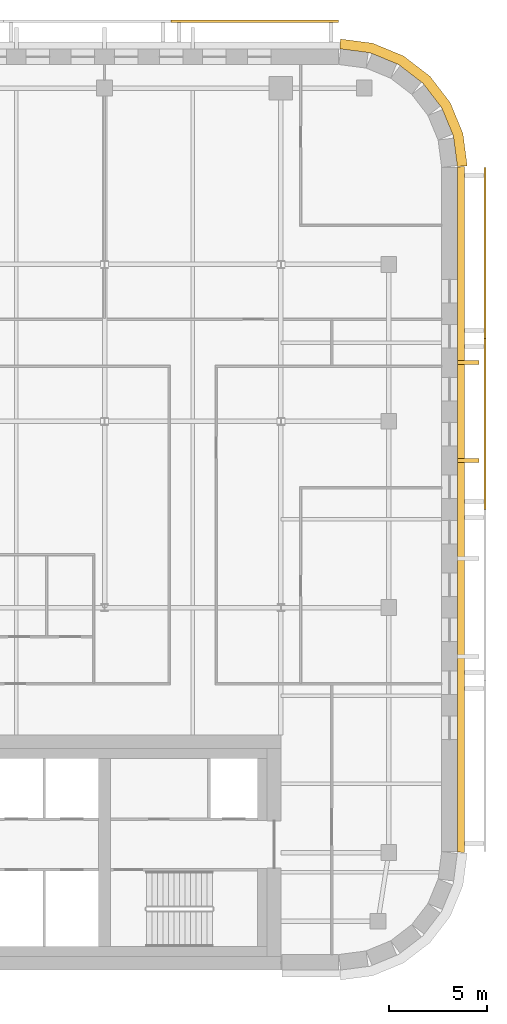
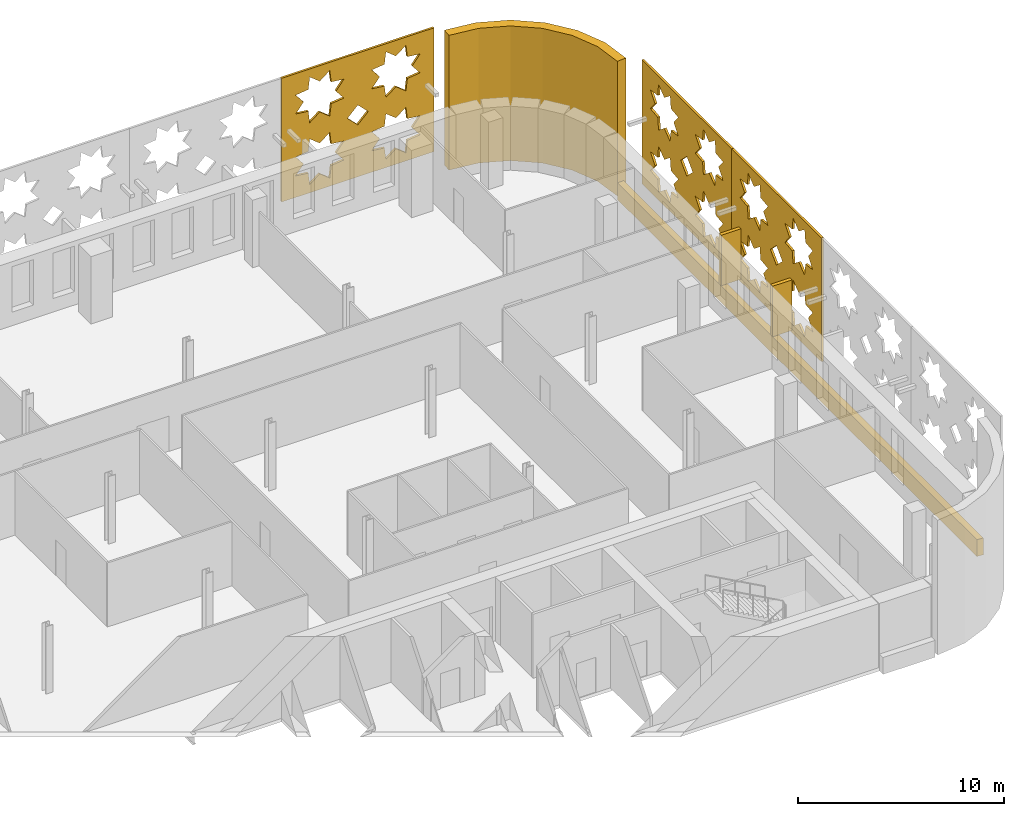
# One storey, part 17 of 17: 7 coverings.
"""IFC4 building model written with IfcOpenShell, lengths in metres."""

from ifc_helpers import new_model, si_unit, direction, frame, origin, place, context, subcontext, project, spatial, polyline, outline, extrude, material, layer, layer_set, type_object, element, save


model = new_model("IFC4")

# Units and contexts
model_context = context("Model", 3, precision=1e-05, world=origin(), true_north=direction((0.0, 1.0)))
body_context = subcontext(model_context, "Body", "Model", "MODEL_VIEW")
ifc_project = project(units=[si_unit("LENGTHUNIT", "METRE"), si_unit("AREAUNIT", "SQUARE_METRE"), si_unit("VOLUMEUNIT", "CUBIC_METRE"), si_unit("PLANEANGLEUNIT", "RADIAN"), si_unit("MASSUNIT", "GRAM", prefix="KILO")], contexts=[model_context])

# Site, building, storey
site_placement = place(None, origin())
site = spatial("IfcSite", under=ifc_project, at=site_placement, CompositionType="ELEMENT")
building_placement = place(site_placement, origin())
building = spatial("IfcBuilding", under=site, at=building_placement, Name="Zellij Exchange Tower", CompositionType="ELEMENT")
storey_placement = place(building_placement, frame((0.0, 0.0, 256.5)))
storey = spatial("IfcBuildingStorey", under=building, at=storey_placement, Name="L60", CompositionType="ELEMENT", Elevation=256.5)

# Coverings
ifc_material_1 = material(Name="Limestone cladding", Category="masonry")
ifc_layer_1 = layer(ifc_material_1, 0.35009765625)
ifc_layer_set_1 = layer_set([ifc_layer_1], Name="Limestone cladding")
covering_type_1 = type_object("IfcCoveringType", Name="ENV-CV10 Stone spandrel band 350", PredefinedType="CLADDING", material=ifc_layer_set_1)
covering_1_placement = place(storey_placement, frame((0.0, 0.0, -0.199951171875)))
element("IfcCovering", 1, at=covering_1_placement, inside=storey, type_object=covering_type_1, Name="Stone spandrel band", PredefinedType="CLADDING", context=body_context, shape_type="SweptSolid", body=[
    extrude(outline(polyline([(36.0, -7.973876953125), (36.0, 26.973876953125), (36.35009765625, 26.99658203125), (36.35009765625, -7.99658203125), (36.0, -7.973876953125)])), origin(), (0.0, 0.0, 1.0), 1.0),
])
ifc_layer_2 = layer(ifc_material_1, 0.5)
ifc_layer_set_2 = layer_set([ifc_layer_2], Name="Limestone cladding")
covering_type_2 = type_object("IfcCoveringType", Name="ENV-CV12 Stone corner pier 500", PredefinedType="CLADDING", material=ifc_layer_set_2)
covering_2_placement = place(storey_placement, origin())
element("IfcCovering", 2, at=covering_2_placement, inside=storey, type_object=covering_type_2, Name="Stone corner pier", PredefinedType="CLADDING", context=body_context, shape_type="SweptSolid", body=[
    extrude(outline(polyline([(36.0, 27.0), (35.795654296875, 28.552978515625), (35.1962890625, 30.0), (34.24267578125, 31.24267578125), (33.0, 32.1962890625), (31.552978515625, 32.795654296875), (30.0, 33.0), (30.03271484375, 33.5), (31.683349609375, 33.28271484375), (33.252197265625, 32.6328125), (34.59912109375, 31.59912109375), (35.6328125, 30.252197265625), (36.28271484375, 28.683349609375), (36.5, 27.03271484375), (36.0, 27.0)])), origin(), (0.0, 0.0, 1.0), 8.0),
])
covering_type_3 = type_object("IfcCoveringType", Name="ENV-CV6 Stone pier 200x1100", PredefinedType="CLADDING", material=ifc_material_1)
covering_3_placement = place(storey_placement, frame((0.0, 0.0, 0.800048828125)))
element("IfcCovering", 3, at=covering_3_placement, inside=storey, type_object=covering_type_3, Name="Stone pier", PredefinedType="CLADDING", context=body_context, shape_type="SweptSolid", body=[
    extrude(outline(polyline([(36.0, 11.896240234375), (36.0, 12.09619140625), (37.10009765625, 12.09619140625), (37.10009765625, 11.896240234375), (36.0, 11.896240234375)])), origin(), (0.0, 0.0, 1.0), 3.0),
])
covering_4_placement = place(storey_placement, frame((0.0, 0.0, 0.800048828125)))
element("IfcCovering", 4, at=covering_4_placement, inside=storey, type_object=covering_type_3, Name="Stone pier", PredefinedType="CLADDING", context=body_context, shape_type="SweptSolid", body=[
    extrude(outline(polyline([(36.0, 16.888916015625), (36.0, 17.0888671875), (37.10009765625, 17.0888671875), (37.10009765625, 16.888916015625), (36.0, 16.888916015625)])), origin(), (0.0, 0.0, 1.0), 3.0),
])
ifc_material_2 = material(Name="Limestone screen", Category="masonry")
ifc_layer_3 = layer(ifc_material_2, 0.1201171875)
ifc_layer_set_3 = layer_set([ifc_layer_3], Name="Limestone screen")
covering_type_4 = type_object("IfcCoveringType", Name="ENV-SC1 Pierced stone screen 120", PredefinedType="USERDEFINED", material=ifc_layer_set_3)
covering_5_placement = place(storey_placement, frame((29.947509765625, 34.409912109375, 0.300048828125), z_axis=(0.0, 0.0, 1.0), x_axis=(-1.0, 0.0, 0.0)))
element("IfcCovering", 5, at=covering_5_placement, inside=storey, type_object=covering_type_4, Name="Pierced stone screen", ObjectType="SCREEN", PredefinedType="USERDEFINED", context=body_context, shape_type="SweptSolid", body=[
    extrude(outline(polyline([(0.0, 0.0), (8.556396484375, 0.0), (8.556396484375, 7.35009765625), (0.0, 7.35009765625), (0.0, 0.0)]), holes=[polyline([(3.497314453125, 2.39990234375), (2.78369140625, 2.48193359375), (2.70166015625, 3.195556640625), (2.13916015625, 2.748779296875), (1.57666015625, 3.195556640625), (1.49462890625, 2.48193359375), (0.781005859375, 2.39990234375), (1.227783203125, 1.83740234375), (0.781005859375, 1.27490234375), (1.49462890625, 1.193115234375), (1.57666015625, 0.4794921875), (2.13916015625, 0.926025390625), (2.70166015625, 0.4794921875), (2.78369140625, 1.193115234375), (3.497314453125, 1.27490234375), (3.050537109375, 1.83740234375), (3.497314453125, 2.39990234375)]), polyline([(3.497314453125, 6.074951171875), (2.78369140625, 6.156982421875), (2.70166015625, 6.87060546875), (2.13916015625, 6.423828125), (1.57666015625, 6.87060546875), (1.49462890625, 6.156982421875), (0.781005859375, 6.074951171875), (1.227783203125, 5.512451171875), (0.781005859375, 4.949951171875), (1.49462890625, 4.867919921875), (1.57666015625, 4.154296875), (2.13916015625, 4.60107421875), (2.70166015625, 4.154296875), (2.78369140625, 4.867919921875), (3.497314453125, 4.949951171875), (3.050537109375, 5.512451171875), (3.497314453125, 6.074951171875)]), polyline([(7.775390625, 2.39990234375), (7.061767578125, 2.48193359375), (6.97998046875, 3.195556640625), (6.417236328125, 2.748779296875), (5.854736328125, 3.195556640625), (5.77294921875, 2.48193359375), (5.05908203125, 2.39990234375), (5.505859375, 1.83740234375), (5.05908203125, 1.27490234375), (5.77294921875, 1.193115234375), (5.854736328125, 0.4794921875), (6.417236328125, 0.926025390625), (6.97998046875, 0.4794921875), (7.061767578125, 1.193115234375), (7.775390625, 1.27490234375), (7.32861328125, 1.83740234375), (7.775390625, 2.39990234375)]), polyline([(7.775390625, 6.074951171875), (7.061767578125, 6.156982421875), (6.97998046875, 6.87060546875), (6.417236328125, 6.423828125), (5.854736328125, 6.87060546875), (5.77294921875, 6.156982421875), (5.05908203125, 6.074951171875), (5.505859375, 5.512451171875), (5.05908203125, 4.949951171875), (5.77294921875, 4.867919921875), (5.854736328125, 4.154296875), (6.417236328125, 4.60107421875), (6.97998046875, 4.154296875), (7.061767578125, 4.867919921875), (7.775390625, 4.949951171875), (7.32861328125, 5.512451171875), (7.775390625, 6.074951171875)]), polyline([(4.8662109375, 3.675048828125), (4.2783203125, 4.262939453125), (3.690185546875, 3.675048828125), (4.2783203125, 3.0869140625), (4.8662109375, 3.675048828125)])]), frame((0.0, 0.06005859375, 0.0), z_axis=(0.0, -1.0, 0.0), x_axis=(1.0, 0.0, 0.0)), (0.0, 0.0, 1.0), 0.1201171875),
])
covering_6_placement = place(storey_placement, frame((37.409912109375, 9.5, 0.300048828125), z_axis=(0.0, 0.0, 1.0), x_axis=(0.0, 1.0, 0.0)))
element("IfcCovering", 6, at=covering_6_placement, inside=storey, type_object=covering_type_4, Name="Pierced stone screen", ObjectType="SCREEN", PredefinedType="USERDEFINED", context=body_context, shape_type="SweptSolid", body=[
    extrude(outline(polyline([(0.0, 0.0), (8.723876953125, 0.0), (8.723876953125, 7.35009765625), (0.0, 7.35009765625), (0.0, 0.0)]), holes=[polyline([(3.5390625, 2.39990234375), (2.825439453125, 2.48193359375), (2.743408203125, 3.195556640625), (2.180908203125, 2.748779296875), (1.618408203125, 3.195556640625), (1.53662109375, 2.48193359375), (0.82275390625, 2.39990234375), (1.26953125, 1.83740234375), (0.82275390625, 1.27490234375), (1.53662109375, 1.193115234375), (1.618408203125, 0.4794921875), (2.180908203125, 0.926025390625), (2.743408203125, 0.4794921875), (2.825439453125, 1.193115234375), (3.5390625, 1.27490234375), (3.09228515625, 1.83740234375), (3.5390625, 2.39990234375)]), polyline([(3.5390625, 6.074951171875), (2.825439453125, 6.156982421875), (2.743408203125, 6.87060546875), (2.180908203125, 6.423828125), (1.618408203125, 6.87060546875), (1.53662109375, 6.156982421875), (0.82275390625, 6.074951171875), (1.26953125, 5.512451171875), (0.82275390625, 4.949951171875), (1.53662109375, 4.867919921875), (1.618408203125, 4.154296875), (2.180908203125, 4.60107421875), (2.743408203125, 4.154296875), (2.825439453125, 4.867919921875), (3.5390625, 4.949951171875), (3.09228515625, 5.512451171875), (3.5390625, 6.074951171875)]), polyline([(7.90087890625, 2.39990234375), (7.187255859375, 2.48193359375), (7.10546875, 3.195556640625), (6.542724609375, 2.748779296875), (5.980224609375, 3.195556640625), (5.8984375, 2.48193359375), (5.184814453125, 2.39990234375), (5.63134765625, 1.83740234375), (5.184814453125, 1.27490234375), (5.8984375, 1.193115234375), (5.980224609375, 0.4794921875), (6.542724609375, 0.926025390625), (7.10546875, 0.4794921875), (7.187255859375, 1.193115234375), (7.90087890625, 1.27490234375), (7.4541015625, 1.83740234375), (7.90087890625, 2.39990234375)]), polyline([(7.90087890625, 6.074951171875), (7.187255859375, 6.156982421875), (7.10546875, 6.87060546875), (6.542724609375, 6.423828125), (5.980224609375, 6.87060546875), (5.8984375, 6.156982421875), (5.184814453125, 6.074951171875), (5.63134765625, 5.512451171875), (5.184814453125, 4.949951171875), (5.8984375, 4.867919921875), (5.980224609375, 4.154296875), (6.542724609375, 4.60107421875), (7.10546875, 4.154296875), (7.187255859375, 4.867919921875), (7.90087890625, 4.949951171875), (7.4541015625, 5.512451171875), (7.90087890625, 6.074951171875)]), polyline([(4.949951171875, 3.675048828125), (4.36181640625, 4.262939453125), (3.77392578125, 3.675048828125), (4.36181640625, 3.0869140625), (4.949951171875, 3.675048828125)])]), frame((0.0, 0.06005859375, 0.0), z_axis=(0.0, -1.0, 0.0), x_axis=(1.0, 0.0, 0.0)), (0.0, 0.0, 1.0), 0.1201171875),
])
covering_7_placement = place(storey_placement, frame((37.409912109375, 18.223876953125, 0.300048828125), z_axis=(0.0, 0.0, 1.0), x_axis=(0.0, 1.0, 0.0)))
element("IfcCovering", 7, at=covering_7_placement, inside=storey, type_object=covering_type_4, Name="Pierced stone screen", ObjectType="SCREEN", PredefinedType="USERDEFINED", context=body_context, shape_type="SweptSolid", body=[
    extrude(outline(polyline([(0.0, 0.0), (8.723876953125, 0.0), (8.723876953125, 7.35009765625), (0.0, 7.35009765625), (0.0, 0.0)]), holes=[polyline([(3.5390625, 2.39990234375), (2.825439453125, 2.48193359375), (2.743408203125, 3.195556640625), (2.180908203125, 2.748779296875), (1.618408203125, 3.195556640625), (1.53662109375, 2.48193359375), (0.82275390625, 2.39990234375), (1.26953125, 1.83740234375), (0.82275390625, 1.27490234375), (1.53662109375, 1.193115234375), (1.618408203125, 0.4794921875), (2.180908203125, 0.926025390625), (2.743408203125, 0.4794921875), (2.825439453125, 1.193115234375), (3.5390625, 1.27490234375), (3.09228515625, 1.83740234375), (3.5390625, 2.39990234375)]), polyline([(3.5390625, 6.074951171875), (2.825439453125, 6.156982421875), (2.743408203125, 6.87060546875), (2.180908203125, 6.423828125), (1.618408203125, 6.87060546875), (1.53662109375, 6.156982421875), (0.82275390625, 6.074951171875), (1.26953125, 5.512451171875), (0.82275390625, 4.949951171875), (1.53662109375, 4.867919921875), (1.618408203125, 4.154296875), (2.180908203125, 4.60107421875), (2.743408203125, 4.154296875), (2.825439453125, 4.867919921875), (3.5390625, 4.949951171875), (3.09228515625, 5.512451171875), (3.5390625, 6.074951171875)]), polyline([(7.90087890625, 2.39990234375), (7.187255859375, 2.48193359375), (7.10546875, 3.195556640625), (6.542724609375, 2.748779296875), (5.980224609375, 3.195556640625), (5.8984375, 2.48193359375), (5.184814453125, 2.39990234375), (5.63134765625, 1.83740234375), (5.184814453125, 1.27490234375), (5.8984375, 1.193115234375), (5.980224609375, 0.4794921875), (6.542724609375, 0.926025390625), (7.10546875, 0.4794921875), (7.187255859375, 1.193115234375), (7.90087890625, 1.27490234375), (7.4541015625, 1.83740234375), (7.90087890625, 2.39990234375)]), polyline([(7.90087890625, 6.074951171875), (7.187255859375, 6.156982421875), (7.10546875, 6.87060546875), (6.542724609375, 6.423828125), (5.980224609375, 6.87060546875), (5.8984375, 6.156982421875), (5.184814453125, 6.074951171875), (5.63134765625, 5.512451171875), (5.184814453125, 4.949951171875), (5.8984375, 4.867919921875), (5.980224609375, 4.154296875), (6.542724609375, 4.60107421875), (7.10546875, 4.154296875), (7.187255859375, 4.867919921875), (7.90087890625, 4.949951171875), (7.4541015625, 5.512451171875), (7.90087890625, 6.074951171875)]), polyline([(4.949951171875, 3.675048828125), (4.36181640625, 4.262939453125), (3.77392578125, 3.675048828125), (4.36181640625, 3.0869140625), (4.949951171875, 3.675048828125)])]), frame((0.0, 0.06005859375, 0.0), z_axis=(0.0, -1.0, 0.0), x_axis=(1.0, 0.0, 0.0)), (0.0, 0.0, 1.0), 0.1201171875),
])

save(model, "model.ifc")
